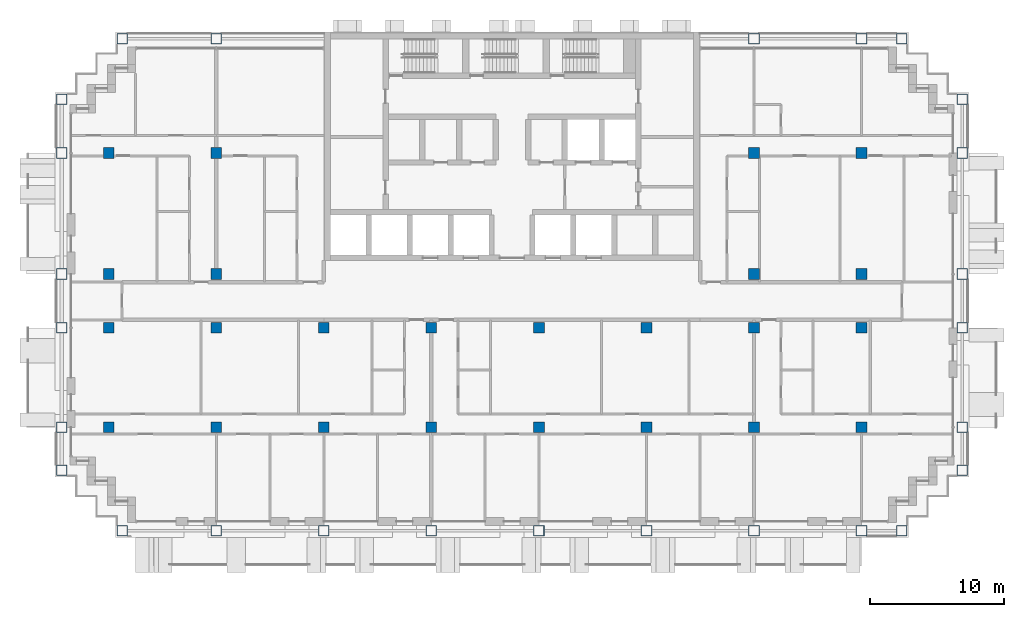
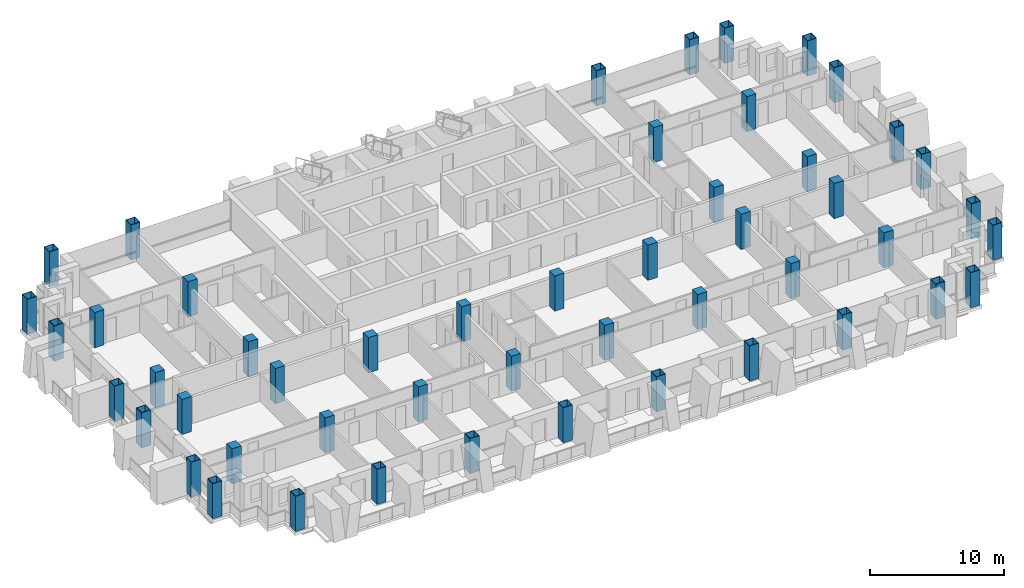
# One storey, part 1 of 17: 50 columns.
"""IFC4 building model written with IfcOpenShell, lengths in metres."""

import ifcopenshell
import ifcopenshell.guid

model = None  # the IFC model being written
_history = None  # IfcOwnerHistory: only IFC2X3 demands one
_inside = {}  # id of a spatial element -> (the spatial element, [elements in it])
_under = {}  # id of a project, library or spatial element -> (it, [spatial elements below it])
_declared = {}  # id of a project -> (the project, [libraries it declares])
_typed = {}  # id of a type object -> (the type object, [elements of that type])
_made_of = {}  # id of a material, layer set ... -> (it, [elements and type objects made of it])


def new_model(schema):
    """Start an empty IFC model of exactly this schema.

    Asked for "IFC4X3", IfcOpenShell would pick the latest addendum, in which some entities
    have other attributes; the version numbers below select the first issue.
    IFC2X3 requires an IfcOwnerHistory on every rooted entity: one is made here for all.
    """
    global model, _history
    if schema == "IFC4X3":
        model = ifcopenshell.file(schema_version=(4, 3, 0, 0))
    else:
        model = ifcopenshell.file(schema=schema)
    _inside.clear()
    _under.clear()
    _declared.clear()
    _typed.clear()
    _made_of.clear()
    _history = None
    if model.schema == "IFC2X3":
        org = make("IfcOrganization", Name="unknown")
        user = make(
            "IfcPersonAndOrganization",
            ThePerson=make("IfcPerson", FamilyName="unknown"),
            TheOrganization=org,
        )
        app = make(
            "IfcApplication",
            ApplicationDeveloper=org,
            Version="unknown",
            ApplicationFullName="unknown",
            ApplicationIdentifier="unknown",
        )
        _history = make(
            "IfcOwnerHistory",
            OwningUser=user,
            OwningApplication=app,
            ChangeAction="ADDED",
            CreationDate=0,
        )
    return model


def make(cls, **values):
    """One entity of the class cls with the attributes given. An attribute that is None is left unset."""
    return model.create_entity(
        cls, **{name: value for name, value in values.items() if value is not None}
    )


def rooted(cls, **values):
    """An entity with a GlobalId (a new one), such as an element, a storey or a relation."""
    return make(cls, GlobalId=ifcopenshell.guid.new(), OwnerHistory=_history, **values)


def si_unit(unit_type, name, prefix=None):
    """IfcSIUnit, for example si_unit("LENGTHUNIT", "METRE", prefix="MILLI")."""
    return make("IfcSIUnit", UnitType=unit_type, Prefix=prefix, Name=name)


def assignment(units):
    """IfcUnitAssignment: the units of a project."""
    return None if units is None else make("IfcUnitAssignment", Units=units)


def point(xyz):
    """IfcCartesianPoint."""
    return None if xyz is None else make("IfcCartesianPoint", Coordinates=xyz)


def direction(xyz):
    """IfcDirection."""
    return None if xyz is None else make("IfcDirection", DirectionRatios=xyz)


def frame(location, z_axis=None, x_axis=None):
    """IfcAxis2Placement3D, a coordinate frame: its origin and axes. An axis left out is left unset."""
    return make(
        "IfcAxis2Placement3D",
        Location=point(location),
        Axis=direction(z_axis),
        RefDirection=direction(x_axis),
    )


def frame_2d(location, x_axis=None):
    """IfcAxis2Placement2D, a coordinate frame in the plane: its origin and x axis."""
    return make(
        "IfcAxis2Placement2D", Location=point(location), RefDirection=direction(x_axis)
    )


def origin():
    """The frame at (0, 0, 0) with its axes left unset."""
    return frame((0.0, 0.0, 0.0))


def origin_2d():
    """The frame at (0, 0) in the plane with its x axis left unset."""
    return frame_2d((0.0, 0.0))


def place(relative_to, where):
    """IfcLocalPlacement: puts the frame where relative to a parent placement (None: the world)."""
    return make(
        "IfcLocalPlacement", PlacementRelTo=relative_to, RelativePlacement=where
    )


def context(
    kind, dimensions, precision=None, world=None, true_north=None, identifier=None
):
    """IfcGeometricRepresentationContext, for example the 3D "Model" context."""
    return make(
        "IfcGeometricRepresentationContext",
        ContextIdentifier=identifier,
        ContextType=kind,
        CoordinateSpaceDimension=dimensions,
        Precision=precision,
        WorldCoordinateSystem=world,
        TrueNorth=true_north,
    )


def subcontext(parent, identifier, kind, view, scale=None):
    """IfcGeometricRepresentationSubContext, for example "Body" below "Model"."""
    return make(
        "IfcGeometricRepresentationSubContext",
        ContextIdentifier=identifier,
        ContextType=kind,
        ParentContext=parent,
        TargetScale=scale,
        TargetView=view,
    )


def project(units=None, contexts=None):
    """IfcProject with its units and contexts."""
    return rooted(
        "IfcProject",
        Name="project",
        RepresentationContexts=contexts,
        UnitsInContext=assignment(units),
    )


def spatial(cls, under=None, at=None, **own):
    """A site, building, storey or space (cls), placed at a placement, below another one or the project."""
    s = rooted(cls, ObjectPlacement=at, **own)
    if under is not None:
        _under.setdefault(under.id(), (under, []))[1].append(s)
    return s


def profile(cls, at=None, kind="AREA", **sizes):
    """A parametric profile (cls). Its sizes go by their IFC names, for example OverallWidth=200.0."""
    return make(cls, ProfileType=kind, Position=at, **sizes)


def rectangle(**sizes):
    """IfcRectangleProfileDef."""
    return profile("IfcRectangleProfileDef", **sizes)


def hollow_rectangle(**sizes):
    """IfcRectangleHollowProfileDef."""
    return profile("IfcRectangleHollowProfileDef", **sizes)


def extrude(swept, where, along, depth):
    """IfcExtrudedAreaSolid: the profile swept, set in the frame where, extruded along a direction by depth."""
    return make(
        "IfcExtrudedAreaSolid",
        SweptArea=swept,
        Position=where,
        ExtrudedDirection=direction(along),
        Depth=depth,
    )


def shape(context_of_items, identifier, shape_type, items):
    """IfcShapeRepresentation: the items that make up one representation, for example the "Body"."""
    return make(
        "IfcShapeRepresentation",
        ContextOfItems=context_of_items,
        RepresentationIdentifier=identifier,
        RepresentationType=shape_type,
        Items=items,
    )


def material(Name=None, Category=None):
    """IfcMaterial."""
    return make("IfcMaterial", Name=Name, Category=Category)


def material_profile(
    of_material, cross_section, Name=None, Category=None, Priority=None
):
    """IfcMaterialProfile: a cross section and its material."""
    return make(
        "IfcMaterialProfile",
        Name=Name,
        Material=of_material,
        Profile=cross_section,
        Priority=Priority,
        Category=Category,
    )


def profile_set(profiles, Name=None, composite=None):
    """IfcMaterialProfileSet."""
    return make(
        "IfcMaterialProfileSet",
        Name=Name,
        MaterialProfiles=profiles,
        CompositeProfile=composite,
    )


def made_of(thing, what):
    """Note that an element or type object is made of a material, layer set ...; save() writes the relation."""
    if what is not None:
        _made_of.setdefault(what.id(), (what, []))[1].append(thing)
    return thing


def type_object(cls, material=None, **own):
    """A type object (cls), such as IfcWallType, which elements share."""
    return made_of(rooted(cls, **own), material)


def element(
    cls,
    number,
    at=None,
    inside=None,
    cuts=None,
    type_object=None,
    material=None,
    context=None,
    identifier="Body",
    shape_type=None,
    held_by="IfcProductDefinitionShape",
    body=None,
    shapes=None,
    **own,
):
    """One element of the class cls, such as IfcWall. Its Tag is "e" and its number.

    at: its placement. inside: the storey or other place that contains it. cuts: it is an
    opening in that element (IfcRelVoidsElement). A single representation is given by context,
    identifier, shape_type and body (its items); several are given by shapes. held_by: the class
    of the entity that holds the representations. save() writes the other relations.
    """
    e = rooted(cls, Tag="e%d" % number, ObjectPlacement=at, **own)
    if body is not None:
        shapes = [shape(context, identifier, shape_type, body)]
    if shapes is not None:
        e.Representation = make(held_by, Representations=shapes)
    if inside is not None:
        _inside.setdefault(inside.id(), (inside, []))[1].append(e)
    if cuts is not None:
        rooted(
            "IfcRelVoidsElement", RelatingBuildingElement=cuts, RelatedOpeningElement=e
        )
    if type_object is not None:
        _typed.setdefault(type_object.id(), (type_object, []))[1].append(e)
    return made_of(e, material)


def aggregate(whole, parts):
    """IfcRelAggregates: a whole, such as a stair, and the parts it consists of."""
    return rooted("IfcRelAggregates", RelatingObject=whole, RelatedObjects=parts)


def save(model, path):
    """Write the relations noted so far, then the file.

    IfcRelAggregates (storeys below a building ...), IfcRelContainedInSpatialStructure (elements
    in a storey), IfcRelDefinesByType, IfcRelAssociatesMaterial and IfcRelDeclares: one each for
    every whole, place, type object, material and project.
    """
    for whole, parts in _under.values():
        aggregate(whole, parts)
    for where, things in _inside.values():
        rooted(
            "IfcRelContainedInSpatialStructure",
            RelatedElements=things,
            RelatingStructure=where,
        )
    for kind, things in _typed.values():
        rooted("IfcRelDefinesByType", RelatedObjects=things, RelatingType=kind)
    for what, things in _made_of.values():
        rooted("IfcRelAssociatesMaterial", RelatedObjects=things, RelatingMaterial=what)
    for by, libraries in _declared.values():
        rooted("IfcRelDeclares", RelatingContext=by, RelatedDefinitions=libraries)
    model.write(path)


model = new_model("IFC4")

# Units and contexts
model_context = context("Model", 3, precision=1e-05, world=origin(), true_north=direction((0.0, 1.0)))
body_context = subcontext(model_context, "Body", "Model", "MODEL_VIEW")
ifc_project = project(units=[si_unit("LENGTHUNIT", "METRE"), si_unit("AREAUNIT", "SQUARE_METRE"), si_unit("VOLUMEUNIT", "CUBIC_METRE"), si_unit("PLANEANGLEUNIT", "RADIAN"), si_unit("MASSUNIT", "GRAM", prefix="KILO")], contexts=[model_context])

# Site, building, storey
site_placement = place(None, origin())
site = spatial("IfcSite", under=ifc_project, at=site_placement, CompositionType="ELEMENT")
building_placement = place(site_placement, origin())
building = spatial("IfcBuilding", under=site, at=building_placement, Name="Vidyagriha Tower", CompositionType="ELEMENT")
storey_placement = place(building_placement, frame((0.0, 0.0, 148.60009765625)))
storey = spatial("IfcBuildingStorey", under=building, at=storey_placement, Name="L39", CompositionType="ELEMENT", Elevation=148.60009765625)

# Columns
ifc_material_1 = material(Name="Steel ASTM A572 Grade 50", Category="steel")
ifc_material_profile_1 = material_profile(ifc_material_1, hollow_rectangle(XDim=0.800048828125, YDim=0.800048828125, WallThickness=0.0400390625, at=origin_2d()), Name="BOX 800x800x40")
ifc_profile_set_1 = profile_set([ifc_material_profile_1], Name="Steel ASTM A572 Grade 50")
column_type_1 = type_object("IfcColumnType", Name="Exoskeleton column BOX 800x800x40", PredefinedType="COLUMN", material=ifc_profile_set_1)
for number, where, name in (
    (1, (-29.0, -17.10009765625, 0.0), "st-col-L39-B3-001"),
    (2, (-22.0, -17.10009765625, 0.0), "st-col-L39-B3-002"),
    (3, (-14.0, -17.10009765625, 0.0), "st-col-L39-B3-003"),
    (4, (-6.0, -17.10009765625, 0.0), "st-col-L39-B3-004"),
    (5, (2.0, -17.10009765625, 0.0), "st-col-L39-B3-005"),
    (6, (10.0, -17.10009765625, 0.0), "st-col-L39-B3-006"),
    (7, (18.0, -17.10009765625, 0.0), "st-col-L39-B3-007"),
    (8, (26.0, -17.10009765625, 0.0), "st-col-L39-B3-008"),
    (9, (29.0, -17.10009765625, 0.0), "st-col-L39-B3-009"),
    (10, (-33.5, -12.60009765625, 0.0), "st-col-L39-B3-010"),
    (11, (33.5, -12.60009765625, 0.0), "st-col-L39-B3-011"),
    (12, (-33.5, -9.39990234375, 0.0), "st-col-L39-B3-012"),
    (13, (33.5, -9.39990234375, 0.0), "st-col-L39-B3-021"),
    (14, (-33.5, -2.0, 0.0), "st-col-L39-B3-022"),
    (15, (33.5, -2.0, 0.0), "st-col-L39-B3-031"),
    (16, (-33.5, 2.0, 0.0), "st-col-L39-B3-032"),
    (17, (33.5, 2.0, 0.0), "st-col-L39-B3-037"),
    (18, (-33.5, 11.0, 0.0), "st-col-L39-B3-038"),
    (19, (33.5, 11.0, 0.0), "st-col-L39-B3-043"),
    (20, (-33.5, 15.0, 0.0), "st-col-L39-B3-044"),
    (21, (33.5, 15.0, 0.0), "st-col-L39-B3-045"),
    (22, (-29.0, 19.5, 0.0), "st-col-L39-B3-046"),
    (23, (-22.0, 19.5, 0.0), "st-col-L39-B3-047"),
    (24, (18.0, 19.5, 0.0), "st-col-L39-B3-048"),
    (25, (26.0, 19.5, 0.0), "st-col-L39-B3-049"),
    (26, (29.0, 19.5, 0.0), "st-col-L39-B3-050"),
):
    element("IfcColumn", number, at=place(storey_placement, frame(where)), inside=storey, type_object=column_type_1, Name=name, PredefinedType="COLUMN", context=body_context, shape_type="SweptSolid", body=[
        extrude(hollow_rectangle(XDim=0.800048828125, YDim=0.800048828125, WallThickness=0.0400390625, at=origin_2d()), origin(), (0.0, 0.0, 1.0), 3.199951171875),
    ])
ifc_material_2 = material(Name="Concrete C80/95", Category="concrete")
ifc_material_profile_2 = material_profile(ifc_material_2, rectangle(XDim=0.800048828125, YDim=0.800048828125, at=origin_2d()), Name="RC 800x800")
ifc_profile_set_2 = profile_set([ifc_material_profile_2], Name="Concrete C80/95")
column_type_2 = type_object("IfcColumnType", Name="Frame column RC 800x800", PredefinedType="COLUMN", material=ifc_profile_set_2)
for number, where, name in (
    (27, (-30.0, -9.39990234375, 0.0), "st-col-L39-B3-013"),
    (28, (-22.0, -9.39990234375, 0.0), "st-col-L39-B3-014"),
    (29, (-14.0, -9.39990234375, 0.0), "st-col-L39-B3-015"),
    (30, (-6.0, -9.39990234375, 0.0), "st-col-L39-B3-016"),
    (31, (2.0, -9.39990234375, 0.0), "st-col-L39-B3-017"),
    (32, (10.0, -9.39990234375, 0.0), "st-col-L39-B3-018"),
    (33, (18.0, -9.39990234375, 0.0), "st-col-L39-B3-019"),
    (34, (26.0, -9.39990234375, 0.0), "st-col-L39-B3-020"),
    (35, (-30.0, -2.0, 0.0), "st-col-L39-B3-023"),
    (36, (-22.0, -2.0, 0.0), "st-col-L39-B3-024"),
    (37, (-14.0, -2.0, 0.0), "st-col-L39-B3-025"),
    (38, (-6.0, -2.0, 0.0), "st-col-L39-B3-026"),
    (39, (2.0, -2.0, 0.0), "st-col-L39-B3-027"),
    (40, (10.0, -2.0, 0.0), "st-col-L39-B3-028"),
    (41, (18.0, -2.0, 0.0), "st-col-L39-B3-029"),
    (42, (26.0, -2.0, 0.0), "st-col-L39-B3-030"),
    (43, (-30.0, 2.0, 0.0), "st-col-L39-B3-033"),
    (44, (-22.0, 2.0, 0.0), "st-col-L39-B3-034"),
    (45, (18.0, 2.0, 0.0), "st-col-L39-B3-035"),
    (46, (26.0, 2.0, 0.0), "st-col-L39-B3-036"),
    (47, (-30.0, 11.0, 0.0), "st-col-L39-B3-039"),
    (48, (-22.0, 11.0, 0.0), "st-col-L39-B3-040"),
    (49, (18.0, 11.0, 0.0), "st-col-L39-B3-041"),
    (50, (26.0, 11.0, 0.0), "st-col-L39-B3-042"),
):
    element("IfcColumn", number, at=place(storey_placement, frame(where)), inside=storey, type_object=column_type_2, Name=name, PredefinedType="COLUMN", context=body_context, shape_type="SweptSolid", body=[
        extrude(rectangle(XDim=0.800048828125, YDim=0.800048828125, at=origin_2d()), origin(), (0.0, 0.0, 1.0), 3.199951171875),
    ])

save(model, "model.ifc")
